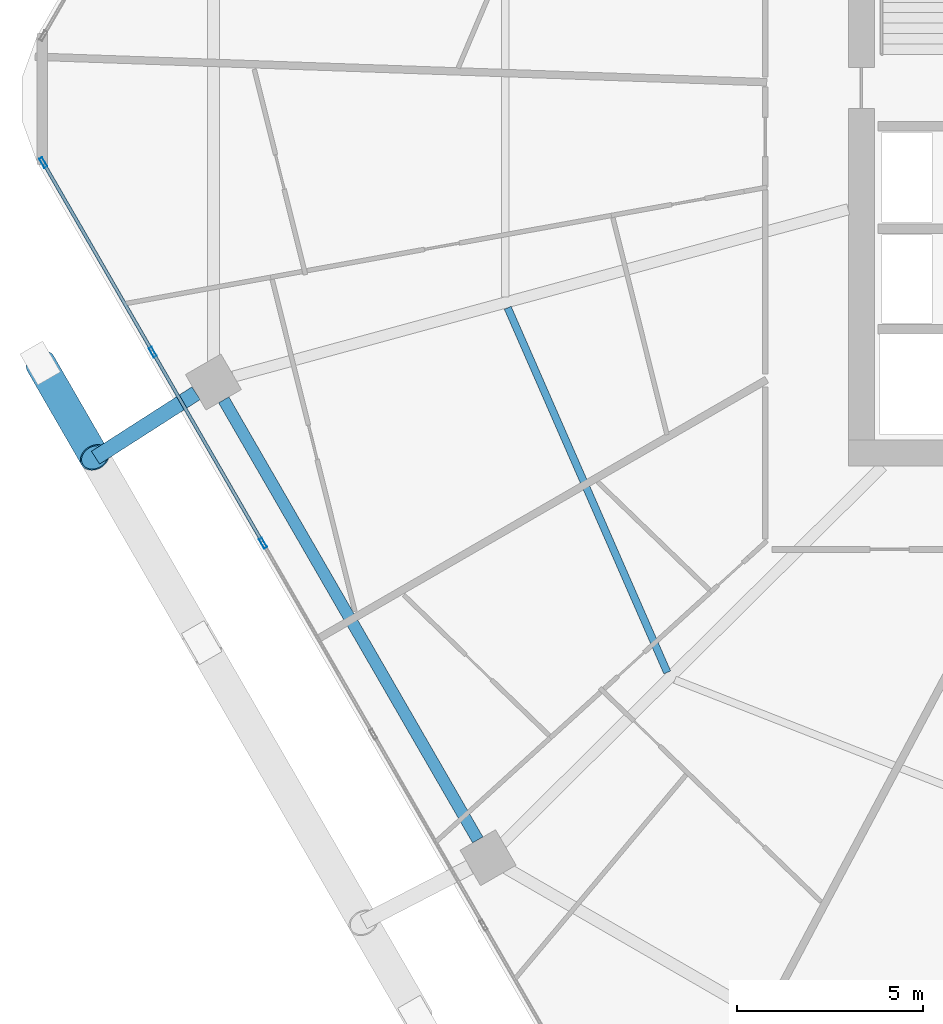
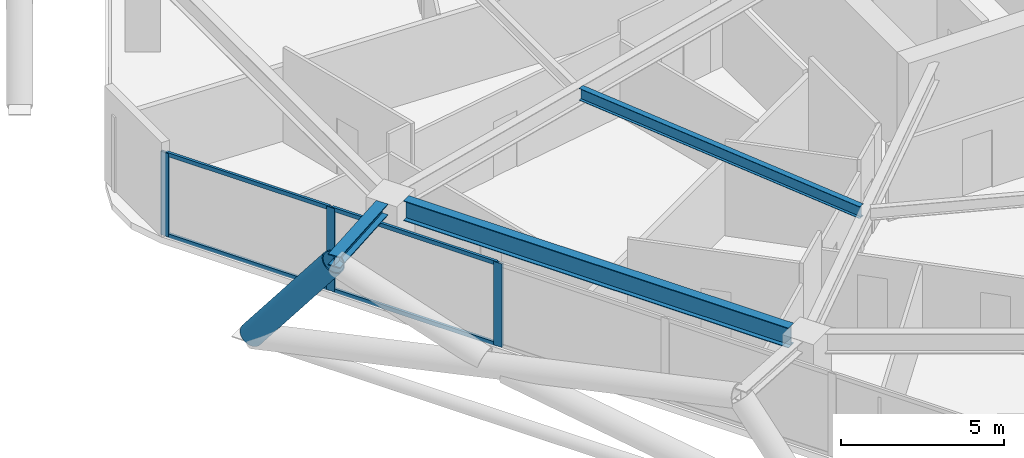
# One storey, part 6 of 35: 8 members, 3 beams, 1 element without a shape of its own.
"""IFC4 building model written with IfcOpenShell, lengths in metres."""

from ifc_helpers import new_model, si_unit, direction, frame, origin, origin_2d, place, context, subcontext, project, spatial, hollow_rectangle, hollow_circle, i_section, extrude, material, material_profile, profile_set, type_object, element, aggregate, save


model = new_model("IFC4")

# Units and contexts
model_context = context("Model", 3, precision=1e-05, world=origin(), true_north=direction((0.0, 1.0)))
body_context = subcontext(model_context, "Body", "Model", "MODEL_VIEW")
ifc_project = project(units=[si_unit("LENGTHUNIT", "METRE"), si_unit("AREAUNIT", "SQUARE_METRE"), si_unit("VOLUMEUNIT", "CUBIC_METRE"), si_unit("PLANEANGLEUNIT", "RADIAN"), si_unit("MASSUNIT", "GRAM", prefix="KILO")], contexts=[model_context])

# Site, building, storey
site_placement = place(None, origin())
site = spatial("IfcSite", under=ifc_project, at=site_placement, CompositionType="ELEMENT")
building_placement = place(site_placement, origin())
building = spatial("IfcBuilding", under=site, at=building_placement, Name="Zuhravey Tower", CompositionType="ELEMENT")
storey_placement = place(building_placement, frame((0.0, 0.0, 138.0)))
storey = spatial("IfcBuildingStorey", under=building, at=storey_placement, Name="L34", CompositionType="ELEMENT", Elevation=138.0)

# Curtain wall, members
ifc_material_1 = material(Name="Thermally broken anodised aluminium", Category="aluminium")
curtain_wall_type = type_object("IfcCurtainWallType", Name="Zone 1-2 Residential Curtain Wall CW3", PredefinedType="NOTDEFINED", material=ifc_material_1)
curtain_wall_placement = place(storey_placement, origin())
curtain_wall = element("IfcCurtainWall", 1, at=curtain_wall_placement, inside=storey, type_object=curtain_wall_type, Name="L34 CW3 CW-L34-F4-1", PredefinedType="NOTDEFINED")
ifc_material_2 = material(Name="Anodised aluminium", Category="aluminium")
ifc_material_profile_1 = material_profile(ifc_material_2, hollow_rectangle(XDim=0.090087890625, YDim=0.284912109375, WallThickness=0.0048828125, at=origin_2d()), Name="ALU-RHS-90x285x5")
ifc_profile_set_1 = profile_set([ifc_material_profile_1], Name="Anodised aluminium")
member_type_1 = type_object("IfcMemberType", Name="Curtain-Wall Mullion 90x180", PredefinedType="MULLION", material=ifc_profile_set_1)
member_1_placement = place(storey_placement, frame((9.44140625, 20.083984375, 0.0), z_axis=(0.0, 0.0, 1.0), x_axis=(-0.86602552265, -0.499999794119, 0.0)))
member_1 = element("IfcMember", 2, at=member_1_placement, type_object=member_type_1, Name="CW3 mullion 4", PredefinedType="MULLION", context=body_context, shape_type="SweptSolid", body=[
    extrude(hollow_rectangle(XDim=0.090087890625, YDim=0.284912109375, WallThickness=0.0048828125, at=origin_2d()), origin(), (0.0, 0.0, 1.0), 3.1220703125),
])
member_2_placement = place(storey_placement, frame((6.4814453125, 25.210693359375, 0.0), z_axis=(0.0, 0.0, 1.0), x_axis=(-0.86602552265, -0.499999794119, 0.0)))
member_2 = element("IfcMember", 3, at=member_2_placement, type_object=member_type_1, Name="CW3 mullion 5", PredefinedType="MULLION", context=body_context, shape_type="SweptSolid", body=[
    extrude(hollow_rectangle(XDim=0.090087890625, YDim=0.284912109375, WallThickness=0.0048828125, at=origin_2d()), origin(), (0.0, 0.0, 1.0), 3.1220703125),
])
member_3_placement = place(storey_placement, frame((3.5439453125, 30.298583984375, 0.0), z_axis=(0.0, 0.0, 1.0), x_axis=(-0.86602552265, -0.499999794119, 0.0)))
member_3 = element("IfcMember", 4, at=member_3_placement, type_object=member_type_1, Name="CW3 mullion 6", PredefinedType="MULLION", context=body_context, shape_type="SweptSolid", body=[
    extrude(hollow_rectangle(XDim=0.090087890625, YDim=0.284912109375, WallThickness=0.0048828125, at=origin_2d()), origin(), (0.0, 0.0, 1.0), 3.1220703125),
])
ifc_material_profile_2 = material_profile(ifc_material_2, hollow_rectangle(XDim=0.090087890625, YDim=0.14990234375, WallThickness=0.0048828125, at=origin_2d()), Name="ALU-RHS-90x150x5")
ifc_profile_set_2 = profile_set([ifc_material_profile_2], Name="Anodised aluminium")
member_type_2 = type_object("IfcMemberType", Name="Curtain-Wall Transom 90x150", PredefinedType="USERDEFINED", material=ifc_profile_set_2)
member_4_placement = place(storey_placement, frame((9.418701171875, 20.123046875, 0.044921875), z_axis=(-0.499981042766, 0.866036348472, 0.0), x_axis=(-0.866036348472, -0.499981042766, 0.0)))
member_4 = element("IfcMember", 5, at=member_4_placement, type_object=member_type_2, Name="CW3 transom 4.1", ObjectType="TRANSOM", PredefinedType="USERDEFINED", context=body_context, shape_type="SweptSolid", body=[
    extrude(hollow_rectangle(XDim=0.090087890625, YDim=0.14990234375, WallThickness=0.0048828125, at=origin_2d()), origin(), (0.0, 0.0, 1.0), 5.829833984375),
])
member_5_placement = place(storey_placement, frame((9.418701171875, 20.123046875, 3.076904296875), z_axis=(-0.499981042766, 0.866036348472, 0.0), x_axis=(-0.866036348472, -0.499981042766, 0.0)))
member_5 = element("IfcMember", 6, at=member_5_placement, type_object=member_type_2, Name="CW3 transom 4.2", ObjectType="TRANSOM", PredefinedType="USERDEFINED", context=body_context, shape_type="SweptSolid", body=[
    extrude(hollow_rectangle(XDim=0.090087890625, YDim=0.14990234375, WallThickness=0.0048828125, at=origin_2d()), origin(), (0.0, 0.0, 1.0), 5.829833984375),
])
member_6_placement = place(storey_placement, frame((6.458984375, 25.249755859375, 0.044921875), z_axis=(-0.500024450573, 0.866011286779, 0.0), x_axis=(-0.866011286779, -0.500024450573, 0.0)))
member_6 = element("IfcMember", 7, at=member_6_placement, type_object=member_type_2, Name="CW3 transom 5.1", ObjectType="TRANSOM", PredefinedType="USERDEFINED", context=body_context, shape_type="SweptSolid", body=[
    extrude(hollow_rectangle(XDim=0.090087890625, YDim=0.14990234375, WallThickness=0.0048828125, at=origin_2d()), origin(), (0.0, 0.0, 1.0), 5.784912109375),
])
member_7_placement = place(storey_placement, frame((6.458984375, 25.249755859375, 3.076904296875), z_axis=(-0.500024450573, 0.866011286779, 0.0), x_axis=(-0.866011286779, -0.500024450573, 0.0)))
member_7 = element("IfcMember", 8, at=member_7_placement, type_object=member_type_2, Name="CW3 transom 5.2", ObjectType="TRANSOM", PredefinedType="USERDEFINED", context=body_context, shape_type="SweptSolid", body=[
    extrude(hollow_rectangle(XDim=0.090087890625, YDim=0.14990234375, WallThickness=0.0048828125, at=origin_2d()), origin(), (0.0, 0.0, 1.0), 5.784912109375),
])
aggregate(curtain_wall, [member_1, member_2, member_3, member_4, member_5, member_6, member_7])

# Beam
ifc_material_3 = material(Name="Steel SM460", Category="steel")
ifc_material_profile_3 = material_profile(ifc_material_3, i_section(OverallWidth=0.406982421875, OverallDepth=0.427978515625, WebThickness=0.02001953125, FlangeThickness=0.034912109375, at=origin_2d()), Name="H-428x407x20x35")
ifc_profile_set_3 = profile_set([ifc_material_profile_3], Name="Steel SM460")
beam_type_1 = type_object("IfcBeamType", Name="Exoskeleton Node Tie Beam H428x407", PredefinedType="BEAM", material=ifc_profile_set_3)
beam_1_placement = place(storey_placement, frame((7.64404296875, 24.10888671875, 3.3359375), z_axis=(-0.841742425164, -0.539879328812, 0.0), x_axis=(0.539879328812, -0.841742425164, 0.0)))
element("IfcBeam", 9, at=beam_1_placement, inside=storey, type_object=beam_type_1, Name="L34 Exoskeleton Node Tie NT1-07", PredefinedType="BEAM", context=body_context, shape_type="SweptSolid", body=[
    extrude(i_section(OverallWidth=0.406982421875, OverallDepth=0.427978515625, WebThickness=0.02001953125, FlangeThickness=0.034912109375, at=origin_2d()), origin(), (0.0, 0.0, 1.0), 3.204345703125),
])

# Member
ifc_material_profile_4 = material_profile(ifc_material_3, hollow_circle(Radius=0.406494140625, WallThickness=0.035888671875, at=origin_2d()), Name="CHS-812.8x36")
ifc_profile_set_4 = profile_set([ifc_material_profile_4], Name="Steel SM460")
member_type_3 = type_object("IfcMemberType", Name="Exoskeleton Zone 1 Diagrid CHS813x36", PredefinedType="BRACE", material=ifc_profile_set_4)
member_8_placement = place(storey_placement, frame((3.47119140625, 24.90478515625, -0.44189453125), z_axis=(0.306137960083, -0.53030680042, 0.790603723002), x_axis=(0.866050021655, 0.499957358174, 0.0)))
element("IfcMember", 10, at=member_8_placement, inside=storey, type_object=member_type_3, Name="L34 Face 4 Diagrid Brace 1", PredefinedType="BRACE", context=body_context, shape_type="SweptSolid", body=[
    extrude(hollow_circle(Radius=0.406494140625, WallThickness=0.035888671875, at=origin_2d()), origin(), (0.0, 0.0, 1.0), 4.750732421875),
])

# Beams
ifc_material_4 = material(Name="Steel SM355", Category="steel")
ifc_material_profile_5 = material_profile(ifc_material_4, i_section(OverallWidth=0.320068359375, OverallDepth=0.75, WebThickness=0.013916015625, FlangeThickness=0.02490234375, at=origin_2d()), Name="H-750x320x14x25")
ifc_profile_set_5 = profile_set([ifc_material_profile_5], Name="Steel SM355")
beam_type_2 = type_object("IfcBeamType", Name="Perimeter Ring Beam H750x320", PredefinedType="BEAM", material=ifc_profile_set_5)
beam_2_placement = place(storey_placement, frame((8.387451171875, 23.929443359375, 3.175048828125), z_axis=(0.500008177929, -0.866020682204, 0.0), x_axis=(0.866020682204, 0.500008177929, 0.0)))
element("IfcBeam", 11, at=beam_2_placement, inside=storey, type_object=beam_type_2, Name="L34 PB1 BM-L34-PB-07", PredefinedType="BEAM", context=body_context, shape_type="SweptSolid", body=[
    extrude(i_section(OverallWidth=0.320068359375, OverallDepth=0.75, WebThickness=0.013916015625, FlangeThickness=0.02490234375, at=origin_2d()), origin(), (0.0, 0.0, 1.0), 13.634033203125),
])
ifc_material_profile_6 = material_profile(ifc_material_4, i_section(OverallWidth=0.199951171875, OverallDepth=0.449951171875, WebThickness=0.009033203125, FlangeThickness=0.013916015625, at=origin_2d()), Name="H-450x200x9x14")
ifc_profile_set_6 = profile_set([ifc_material_profile_6], Name="Steel SM355")
beam_type_3 = type_object("IfcBeamType", Name="Secondary Floor Joist H450x200", PredefinedType="JOIST", material=ifc_profile_set_6)
beam_3_placement = place(storey_placement, frame((16.00927734375, 26.400390625, 3.324951171875), z_axis=(0.400786454617, -0.916171500209, 0.0), x_axis=(0.916171500209, 0.400786454617, 0.0)))
element("IfcBeam", 12, at=beam_3_placement, inside=storey, type_object=beam_type_3, Name="L34 SJ1 BM-L34-SJ-07-1", PredefinedType="JOIST", context=body_context, shape_type="SweptSolid", body=[
    extrude(i_section(OverallWidth=0.199951171875, OverallDepth=0.449951171875, WebThickness=0.009033203125, FlangeThickness=0.013916015625, at=origin_2d()), origin(), (0.0, 0.0, 1.0), 10.6796875),
])

save(model, "model.ifc")
